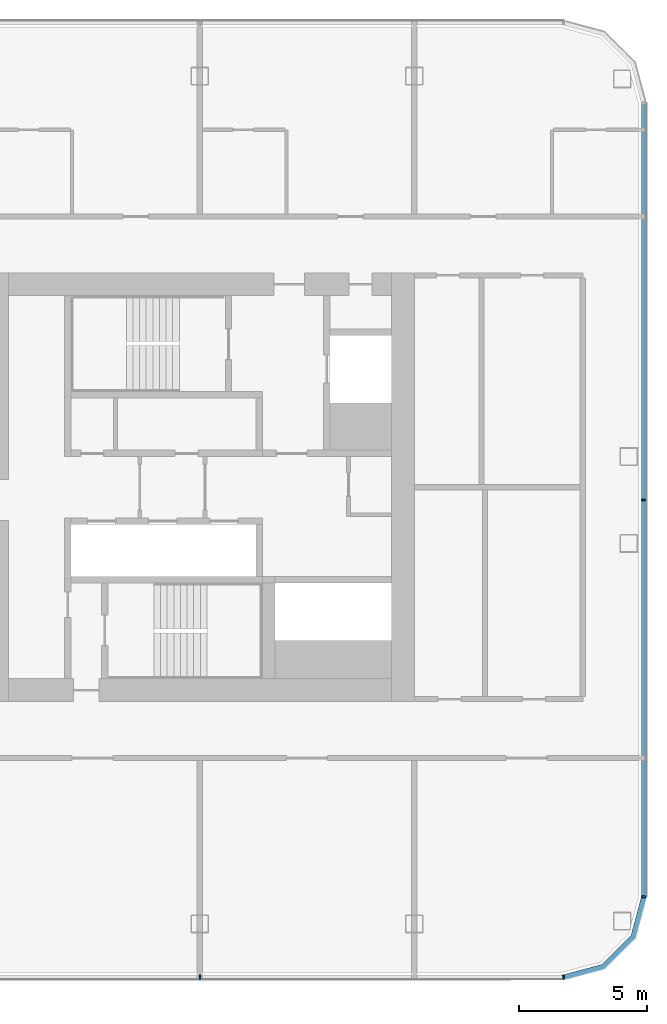
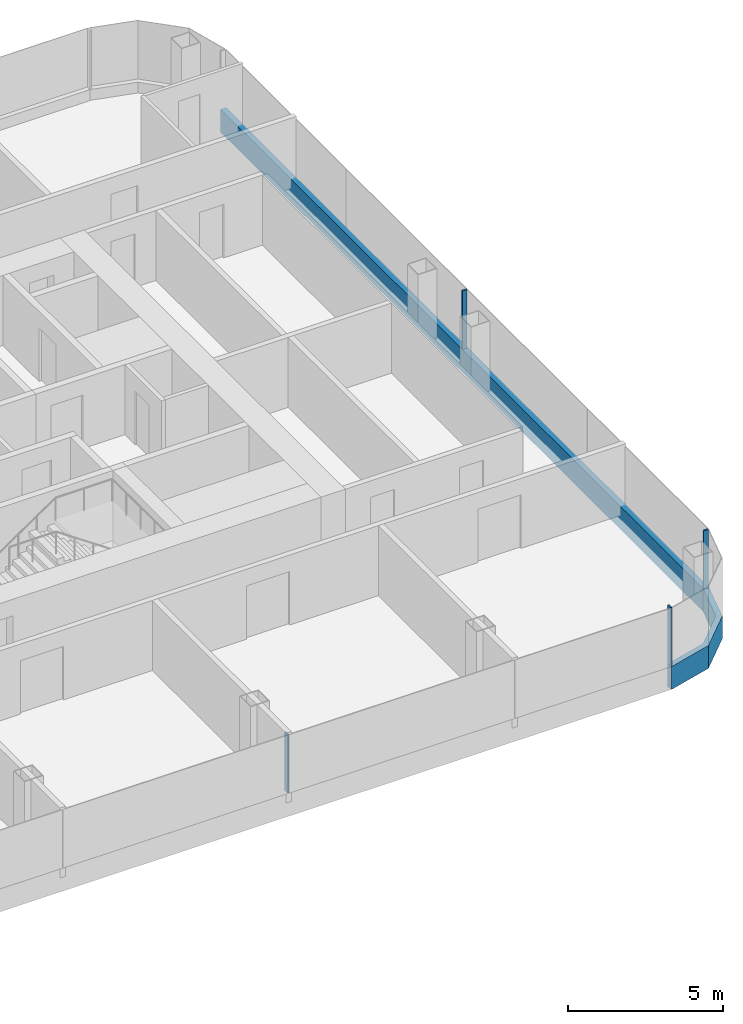
# One storey, part 9 of 26: 6 members, 3 elements without a shape of their own.
"""IFC4 building model written with IfcOpenShell, lengths in metres."""

from ifc_helpers import new_model, si_unit, direction, frame, origin, origin_2d, place, context, subcontext, project, spatial, polyline, rectangle, outline, extrude, material, layer, layer_set, material_profile, profile_set, type_object, element, aggregate, save


model = new_model("IFC4")

# Units and contexts
model_context = context("Model", 3, precision=1e-05, world=origin(), true_north=direction((0.0, 1.0)))
body_context = subcontext(model_context, "Body", "Model", "MODEL_VIEW")
ifc_project = project(units=[si_unit("LENGTHUNIT", "METRE"), si_unit("AREAUNIT", "SQUARE_METRE"), si_unit("VOLUMEUNIT", "CUBIC_METRE"), si_unit("PLANEANGLEUNIT", "RADIAN"), si_unit("MASSUNIT", "GRAM", prefix="KILO")], contexts=[model_context])

# Site, building, storey
site_placement = place(None, origin())
site = spatial("IfcSite", under=ifc_project, at=site_placement, CompositionType="ELEMENT")
building_placement = place(site_placement, origin())
building = spatial("IfcBuilding", under=site, at=building_placement, Name="Hakoniwa Tower and Hamabe Station Hall", CompositionType="ELEMENT")
storey_placement = place(building_placement, frame((0.0, 0.0, 143.800048828125)))
storey = spatial("IfcBuildingStorey", under=building, at=storey_placement, Name="L40", CompositionType="ELEMENT", Elevation=143.800048828125)

# Curtain wall, member
ifc_material_1 = material(Name="Dark low-e laminated glass", Category="glass")
ifc_layer = layer(ifc_material_1, 0.199951171875)
ifc_layer_set = layer_set([ifc_layer], Name="CW-1 UNITISED GUEST")
curtain_wall_type = type_object("IfcCurtainWallType", Name="CW-1 UNITISED GUEST", PredefinedType="NOTDEFINED", material=ifc_layer_set)
curtain_wall_1_placement = place(storey_placement, origin())
curtain_wall_1 = element("IfcCurtainWall", 1, at=curtain_wall_1_placement, inside=storey, type_object=curtain_wall_type, Name="CW-1 curtain wall", PredefinedType="NOTDEFINED")
ifc_material_2 = material(Name="Aluminium 6063-T5 black anodised", Category="aluminium")
ifc_material_profile_1 = material_profile(ifc_material_2, rectangle(XDim=0.199951171875, YDim=0.89990234375, at=origin_2d()), Name="CW SLAB-EDGE BAND 900X200")
ifc_profile_set_1 = profile_set([ifc_material_profile_1], Name="Aluminium 6063-T5 black anodised")
member_type_1 = type_object("IfcMemberType", Name="CW SLAB-EDGE BAND 900X200", PredefinedType="USERDEFINED", material=ifc_profile_set_1)
member_1_placement = place(storey_placement, frame((42.60009765625, -16.03955078125, -0.10009765625), z_axis=(0.0, 1.0, 0.0), x_axis=(-1.0, 0.0, 0.0)))
member_1 = element("IfcMember", 2, at=member_1_placement, type_object=member_type_1, Name="CW-1 transom", ObjectType="TRANSOM", PredefinedType="USERDEFINED", context=body_context, shape_type="SweptSolid", body=[
    extrude(rectangle(XDim=0.199951171875, YDim=0.89990234375, at=origin_2d()), origin(), (0.0, 0.0, 1.0), 31.0791015625),
])

curtain_wall_2_placement = place(storey_placement, origin())
curtain_wall_2 = element("IfcCurtainWall", 3, at=curtain_wall_2_placement, inside=storey, type_object=curtain_wall_type, Name="CW-1 curtain wall", PredefinedType="NOTDEFINED")
member_2_placement = place(storey_placement, frame((0.0, 0.0, -0.550048828125)))
member_2 = element("IfcMember", 4, at=member_2_placement, type_object=member_type_1, Name="CW-1 transom", ObjectType="TRANSOM", PredefinedType="USERDEFINED", context=body_context, shape_type="SweptSolid", body=[
    extrude(outline(polyline([(39.439453125, -19.300048828125), (41.05517578125, -18.866943359375), (42.26708984375, -17.6552734375), (42.699951171875, -16.03955078125), (42.5068359375, -15.98779296875), (42.087646484375, -17.5517578125), (40.95166015625, -18.687744140625), (39.3876953125, -19.10693359375), (39.439453125, -19.300048828125)])), origin(), (0.0, 0.0, 1.0), 0.89990234375),
])
aggregate(curtain_wall_2, [member_2])

# Member
ifc_material_3 = material(Name="Aluminium 6063-T5 black anodised", Category="aluminium")
ifc_material_profile_2 = material_profile(ifc_material_3, rectangle(XDim=0.06005859375, YDim=0.179931640625, at=origin_2d()), Name="CW-1 MULLION 60X180")
ifc_profile_set_2 = profile_set([ifc_material_profile_2], Name="Aluminium 6063-T5 black anodised")
member_type_2 = type_object("IfcMemberType", Name="CW-1 MULLION 60X180", PredefinedType="MULLION", material=ifc_profile_set_2)
member_3_placement = place(storey_placement, frame((42.58203125, -16.03955078125, 0.349853515625), z_axis=(0.0, 0.0, 1.0), x_axis=(0.0, 1.0, 0.0)))
member_3 = element("IfcMember", 5, at=member_3_placement, type_object=member_type_2, Name="CW-1 mullion", PredefinedType="MULLION", context=body_context, shape_type="SweptSolid", body=[
    extrude(rectangle(XDim=0.06005859375, YDim=0.179931640625, at=origin_2d()), origin(), (0.0, 0.0, 1.0), 2.300048828125),
])

member_4_placement = place(storey_placement, frame((42.58203125, -0.5, 0.349853515625), z_axis=(0.0, 0.0, 1.0), x_axis=(0.0, 1.0, 0.0)))
member_4 = element("IfcMember", 6, at=member_4_placement, type_object=member_type_2, Name="CW-1 mullion", PredefinedType="MULLION", context=body_context, shape_type="SweptSolid", body=[
    extrude(rectangle(XDim=0.06005859375, YDim=0.179931640625, at=origin_2d()), origin(), (0.0, 0.0, 1.0), 2.300048828125),
])

aggregate(curtain_wall_1, [member_3, member_4, member_1])

# Curtain wall, members
curtain_wall_3_placement = place(storey_placement, origin())
curtain_wall_3 = element("IfcCurtainWall", 7, at=curtain_wall_3_placement, inside=storey, type_object=curtain_wall_type, Name="CW-1 curtain wall", PredefinedType="NOTDEFINED")
member_5_placement = place(storey_placement, frame((25.199951171875, -19.181884765625, 0.349853515625), z_axis=(0.0, 0.0, 1.0), x_axis=(1.0, 0.0, 0.0)))
member_5 = element("IfcMember", 8, at=member_5_placement, type_object=member_type_2, Name="CW-1 mullion", PredefinedType="MULLION", context=body_context, shape_type="SweptSolid", body=[
    extrude(rectangle(XDim=0.06005859375, YDim=0.179931640625, at=origin_2d()), origin(), (0.0, 0.0, 1.0), 2.300048828125),
])
member_6_placement = place(storey_placement, frame((39.439453125, -19.181884765625, 0.349853515625), z_axis=(0.0, 0.0, 1.0), x_axis=(1.0, 0.0, 0.0)))
member_6 = element("IfcMember", 9, at=member_6_placement, type_object=member_type_2, Name="CW-1 mullion", PredefinedType="MULLION", context=body_context, shape_type="SweptSolid", body=[
    extrude(rectangle(XDim=0.06005859375, YDim=0.179931640625, at=origin_2d()), origin(), (0.0, 0.0, 1.0), 2.300048828125),
])
aggregate(curtain_wall_3, [member_5, member_6])

save(model, "model.ifc")
